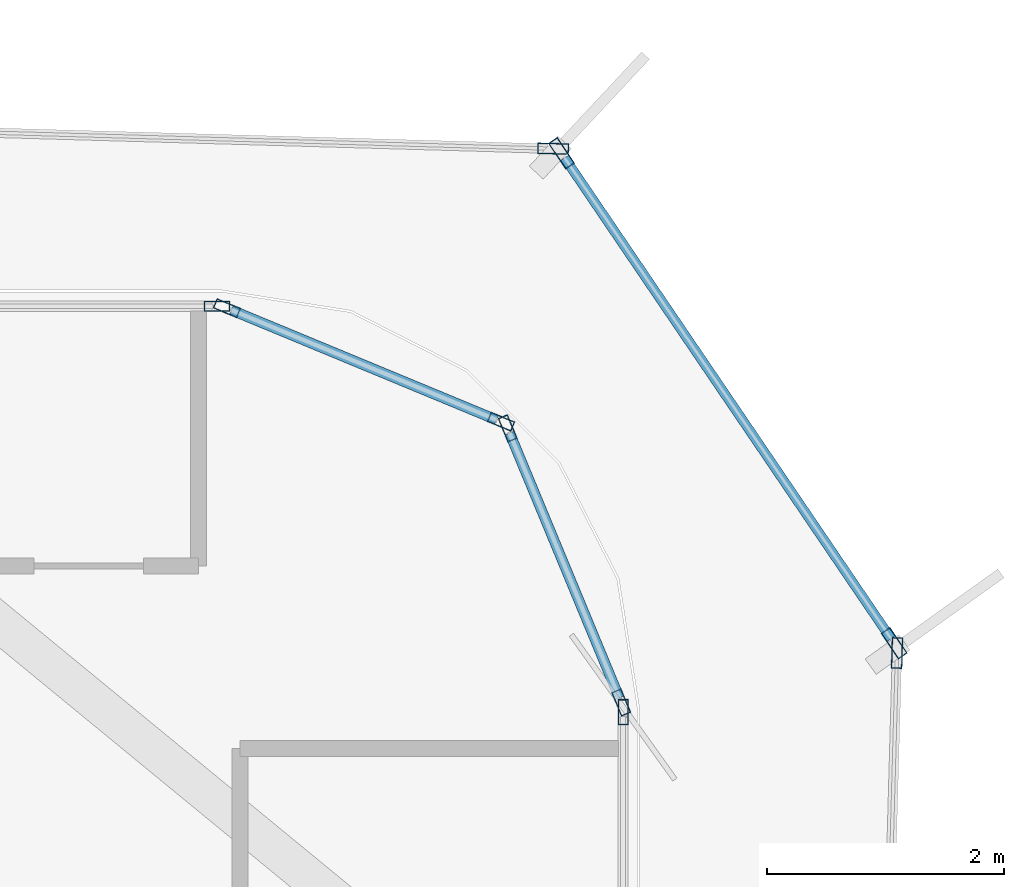
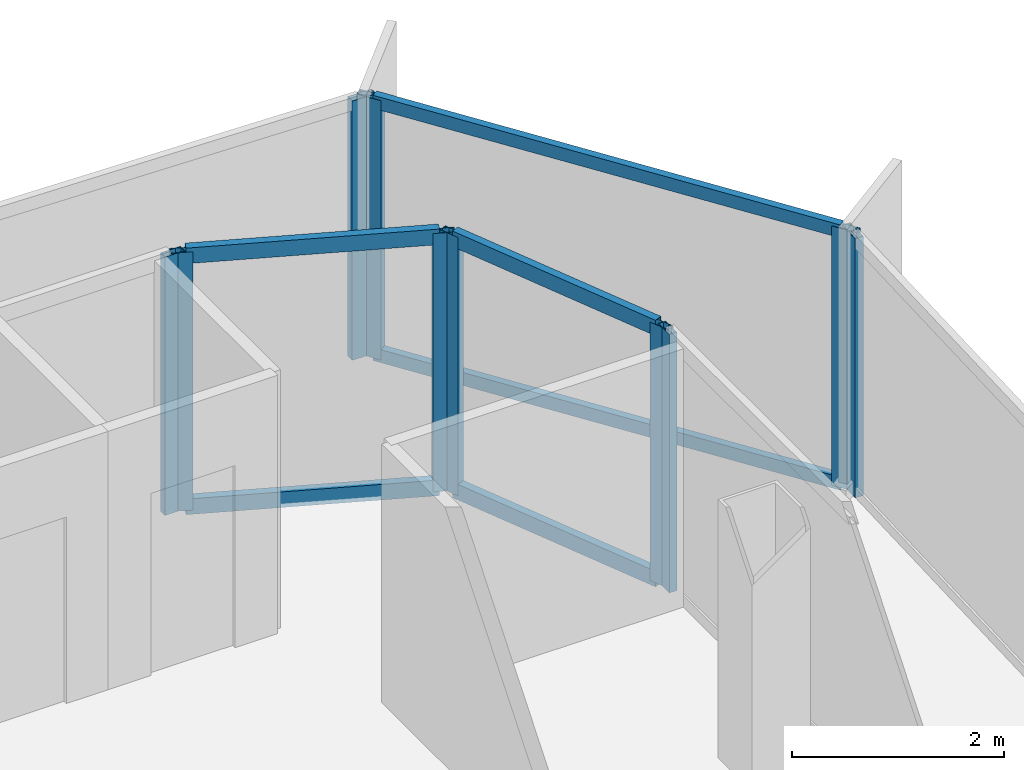
# One storey, part 8 of 14: 16 members, 7 elements without a shape of their own.
"""IFC4 building model written with IfcOpenShell, lengths in metres."""

import ifcopenshell
import ifcopenshell.guid

model = None  # the IFC model being written
_history = None  # IfcOwnerHistory: only IFC2X3 demands one
_inside = {}  # id of a spatial element -> (the spatial element, [elements in it])
_under = {}  # id of a project, library or spatial element -> (it, [spatial elements below it])
_declared = {}  # id of a project -> (the project, [libraries it declares])
_typed = {}  # id of a type object -> (the type object, [elements of that type])
_made_of = {}  # id of a material, layer set ... -> (it, [elements and type objects made of it])


def new_model(schema):
    """Start an empty IFC model of exactly this schema.

    Asked for "IFC4X3", IfcOpenShell would pick the latest addendum, in which some entities
    have other attributes; the version numbers below select the first issue.
    IFC2X3 requires an IfcOwnerHistory on every rooted entity: one is made here for all.
    """
    global model, _history
    if schema == "IFC4X3":
        model = ifcopenshell.file(schema_version=(4, 3, 0, 0))
    else:
        model = ifcopenshell.file(schema=schema)
    _inside.clear()
    _under.clear()
    _declared.clear()
    _typed.clear()
    _made_of.clear()
    _history = None
    if model.schema == "IFC2X3":
        org = make("IfcOrganization", Name="unknown")
        user = make(
            "IfcPersonAndOrganization",
            ThePerson=make("IfcPerson", FamilyName="unknown"),
            TheOrganization=org,
        )
        app = make(
            "IfcApplication",
            ApplicationDeveloper=org,
            Version="unknown",
            ApplicationFullName="unknown",
            ApplicationIdentifier="unknown",
        )
        _history = make(
            "IfcOwnerHistory",
            OwningUser=user,
            OwningApplication=app,
            ChangeAction="ADDED",
            CreationDate=0,
        )
    return model


def make(cls, **values):
    """One entity of the class cls with the attributes given. An attribute that is None is left unset."""
    return model.create_entity(
        cls, **{name: value for name, value in values.items() if value is not None}
    )


def rooted(cls, **values):
    """An entity with a GlobalId (a new one), such as an element, a storey or a relation."""
    return make(cls, GlobalId=ifcopenshell.guid.new(), OwnerHistory=_history, **values)


def si_unit(unit_type, name, prefix=None):
    """IfcSIUnit, for example si_unit("LENGTHUNIT", "METRE", prefix="MILLI")."""
    return make("IfcSIUnit", UnitType=unit_type, Prefix=prefix, Name=name)


def assignment(units):
    """IfcUnitAssignment: the units of a project."""
    return None if units is None else make("IfcUnitAssignment", Units=units)


def point(xyz):
    """IfcCartesianPoint."""
    return None if xyz is None else make("IfcCartesianPoint", Coordinates=xyz)


def direction(xyz):
    """IfcDirection."""
    return None if xyz is None else make("IfcDirection", DirectionRatios=xyz)


def frame(location, z_axis=None, x_axis=None):
    """IfcAxis2Placement3D, a coordinate frame: its origin and axes. An axis left out is left unset."""
    return make(
        "IfcAxis2Placement3D",
        Location=point(location),
        Axis=direction(z_axis),
        RefDirection=direction(x_axis),
    )


def frame_2d(location, x_axis=None):
    """IfcAxis2Placement2D, a coordinate frame in the plane: its origin and x axis."""
    return make(
        "IfcAxis2Placement2D", Location=point(location), RefDirection=direction(x_axis)
    )


def origin():
    """The frame at (0, 0, 0) with its axes left unset."""
    return frame((0.0, 0.0, 0.0))


def origin_2d():
    """The frame at (0, 0) in the plane with its x axis left unset."""
    return frame_2d((0.0, 0.0))


def place(relative_to, where):
    """IfcLocalPlacement: puts the frame where relative to a parent placement (None: the world)."""
    return make(
        "IfcLocalPlacement", PlacementRelTo=relative_to, RelativePlacement=where
    )


def context(
    kind, dimensions, precision=None, world=None, true_north=None, identifier=None
):
    """IfcGeometricRepresentationContext, for example the 3D "Model" context."""
    return make(
        "IfcGeometricRepresentationContext",
        ContextIdentifier=identifier,
        ContextType=kind,
        CoordinateSpaceDimension=dimensions,
        Precision=precision,
        WorldCoordinateSystem=world,
        TrueNorth=true_north,
    )


def subcontext(parent, identifier, kind, view, scale=None):
    """IfcGeometricRepresentationSubContext, for example "Body" below "Model"."""
    return make(
        "IfcGeometricRepresentationSubContext",
        ContextIdentifier=identifier,
        ContextType=kind,
        ParentContext=parent,
        TargetScale=scale,
        TargetView=view,
    )


def project(units=None, contexts=None):
    """IfcProject with its units and contexts."""
    return rooted(
        "IfcProject",
        Name="project",
        RepresentationContexts=contexts,
        UnitsInContext=assignment(units),
    )


def spatial(cls, under=None, at=None, **own):
    """A site, building, storey or space (cls), placed at a placement, below another one or the project."""
    s = rooted(cls, ObjectPlacement=at, **own)
    if under is not None:
        _under.setdefault(under.id(), (under, []))[1].append(s)
    return s


def profile(cls, at=None, kind="AREA", **sizes):
    """A parametric profile (cls). Its sizes go by their IFC names, for example OverallWidth=200.0."""
    return make(cls, ProfileType=kind, Position=at, **sizes)


def hollow_rectangle(**sizes):
    """IfcRectangleHollowProfileDef."""
    return profile("IfcRectangleHollowProfileDef", **sizes)


def extrude(swept, where, along, depth):
    """IfcExtrudedAreaSolid: the profile swept, set in the frame where, extruded along a direction by depth."""
    return make(
        "IfcExtrudedAreaSolid",
        SweptArea=swept,
        Position=where,
        ExtrudedDirection=direction(along),
        Depth=depth,
    )


def shape(context_of_items, identifier, shape_type, items):
    """IfcShapeRepresentation: the items that make up one representation, for example the "Body"."""
    return make(
        "IfcShapeRepresentation",
        ContextOfItems=context_of_items,
        RepresentationIdentifier=identifier,
        RepresentationType=shape_type,
        Items=items,
    )


def source(mapping_origin, context_of_items, identifier, shape_type, items):
    """IfcRepresentationMap: a shape defined once, which mapped items show again and again."""
    return make(
        "IfcRepresentationMap",
        MappingOrigin=mapping_origin,
        MappedRepresentation=shape(context_of_items, identifier, shape_type, items),
    )


def transform(
    local_origin,
    x_axis=None,
    y_axis=None,
    z_axis=None,
    scale=None,
    scale2=None,
    scale3=None,
    uniform=True,
):
    """IfcCartesianTransformationOperator3D, or its non-uniform kind. x_axis, y_axis, z_axis: its Axis1, 2, 3."""
    if uniform:
        return make(
            "IfcCartesianTransformationOperator3D",
            Axis1=direction(x_axis),
            Axis2=direction(y_axis),
            LocalOrigin=point(local_origin),
            Scale=scale,
            Axis3=direction(z_axis),
        )
    return make(
        "IfcCartesianTransformationOperator3DnonUniform",
        Axis1=direction(x_axis),
        Axis2=direction(y_axis),
        LocalOrigin=point(local_origin),
        Scale=scale,
        Axis3=direction(z_axis),
        Scale2=scale2,
        Scale3=scale3,
    )


def mapped(mapping_source, mapping_target):
    """IfcMappedItem: shows the shape of a source again, moved by a transform."""
    return make(
        "IfcMappedItem", MappingSource=mapping_source, MappingTarget=mapping_target
    )


def material(Name=None, Category=None):
    """IfcMaterial."""
    return make("IfcMaterial", Name=Name, Category=Category)


def layer(
    of_material, thickness, ventilated=None, Name=None, Category=None, Priority=None
):
    """IfcMaterialLayer: one layer of a wall or slab, of a material (None: an air gap)."""
    return make(
        "IfcMaterialLayer",
        Material=of_material,
        LayerThickness=thickness,
        IsVentilated=ventilated,
        Name=Name,
        Category=Category,
        Priority=Priority,
    )


def layer_set(layers, Name=None):
    """IfcMaterialLayerSet."""
    return make("IfcMaterialLayerSet", MaterialLayers=layers, LayerSetName=Name)


def material_profile(
    of_material, cross_section, Name=None, Category=None, Priority=None
):
    """IfcMaterialProfile: a cross section and its material."""
    return make(
        "IfcMaterialProfile",
        Name=Name,
        Material=of_material,
        Profile=cross_section,
        Priority=Priority,
        Category=Category,
    )


def profile_set(profiles, Name=None, composite=None):
    """IfcMaterialProfileSet."""
    return make(
        "IfcMaterialProfileSet",
        Name=Name,
        MaterialProfiles=profiles,
        CompositeProfile=composite,
    )


def made_of(thing, what):
    """Note that an element or type object is made of a material, layer set ...; save() writes the relation."""
    if what is not None:
        _made_of.setdefault(what.id(), (what, []))[1].append(thing)
    return thing


def type_object(cls, material=None, **own):
    """A type object (cls), such as IfcWallType, which elements share."""
    return made_of(rooted(cls, **own), material)


def element(
    cls,
    number,
    at=None,
    inside=None,
    cuts=None,
    type_object=None,
    material=None,
    context=None,
    identifier="Body",
    shape_type=None,
    held_by="IfcProductDefinitionShape",
    body=None,
    shapes=None,
    **own,
):
    """One element of the class cls, such as IfcWall. Its Tag is "e" and its number.

    at: its placement. inside: the storey or other place that contains it. cuts: it is an
    opening in that element (IfcRelVoidsElement). A single representation is given by context,
    identifier, shape_type and body (its items); several are given by shapes. held_by: the class
    of the entity that holds the representations. save() writes the other relations.
    """
    e = rooted(cls, Tag="e%d" % number, ObjectPlacement=at, **own)
    if body is not None:
        shapes = [shape(context, identifier, shape_type, body)]
    if shapes is not None:
        e.Representation = make(held_by, Representations=shapes)
    if inside is not None:
        _inside.setdefault(inside.id(), (inside, []))[1].append(e)
    if cuts is not None:
        rooted(
            "IfcRelVoidsElement", RelatingBuildingElement=cuts, RelatedOpeningElement=e
        )
    if type_object is not None:
        _typed.setdefault(type_object.id(), (type_object, []))[1].append(e)
    return made_of(e, material)


def aggregate(whole, parts):
    """IfcRelAggregates: a whole, such as a stair, and the parts it consists of."""
    return rooted("IfcRelAggregates", RelatingObject=whole, RelatedObjects=parts)


def save(model, path):
    """Write the relations noted so far, then the file.

    IfcRelAggregates (storeys below a building ...), IfcRelContainedInSpatialStructure (elements
    in a storey), IfcRelDefinesByType, IfcRelAssociatesMaterial and IfcRelDeclares: one each for
    every whole, place, type object, material and project.
    """
    for whole, parts in _under.values():
        aggregate(whole, parts)
    for where, things in _inside.values():
        rooted(
            "IfcRelContainedInSpatialStructure",
            RelatedElements=things,
            RelatingStructure=where,
        )
    for kind, things in _typed.values():
        rooted("IfcRelDefinesByType", RelatedObjects=things, RelatingType=kind)
    for what, things in _made_of.values():
        rooted("IfcRelAssociatesMaterial", RelatedObjects=things, RelatingMaterial=what)
    for by, libraries in _declared.values():
        rooted("IfcRelDeclares", RelatingContext=by, RelatedDefinitions=libraries)
    model.write(path)


model = new_model("IFC4")

# Units and contexts
model_context = context("Model", 3, precision=1e-05, world=origin(), true_north=direction((0.0, 1.0)))
body_context = subcontext(model_context, "Body", "Model", "MODEL_VIEW")
ifc_project = project(units=[si_unit("LENGTHUNIT", "METRE"), si_unit("AREAUNIT", "SQUARE_METRE"), si_unit("VOLUMEUNIT", "CUBIC_METRE"), si_unit("PLANEANGLEUNIT", "RADIAN"), si_unit("MASSUNIT", "GRAM", prefix="KILO")], contexts=[model_context])

# Site, building, storey
site_placement = place(None, origin())
site = spatial("IfcSite", under=ifc_project, at=site_placement, CompositionType="ELEMENT")
building_placement = place(site_placement, origin())
building = spatial("IfcBuilding", under=site, at=building_placement, Name="Kolveth Station Tower", CompositionType="ELEMENT")
storey_placement = place(building_placement, frame((0.0, 0.0, 226.5)))
storey = spatial("IfcBuildingStorey", under=building, at=storey_placement, Name="L64", CompositionType="ELEMENT", Elevation=226.5)

# Curtain wall, member
ifc_material_1 = material(Name="Black anodized aluminium 6063-T6 and dark solar glass", Category="aluminium")
ifc_layer_1 = layer(ifc_material_1, 0.159912109375)
ifc_layer_set_1 = layer_set([ifc_layer_1], Name="Black anodized aluminium 6063-T6 and dark solar glass")
curtain_wall_type_1 = type_object("IfcCurtainWallType", Name="OUTER SKIN CW-OS", PredefinedType="NOTDEFINED", material=ifc_layer_set_1)
curtain_wall_1_placement = place(storey_placement, origin())
curtain_wall_1 = element("IfcCurtainWall", 1, at=curtain_wall_1_placement, inside=storey, type_object=curtain_wall_type_1, Name="L64 Outer Ventilated Skin Curtain Wall 2", PredefinedType="NOTDEFINED")
ifc_material_2 = material(Name="Black anodized aluminium 6063-T6", Category="aluminium")
ifc_material_profile_1 = material_profile(ifc_material_2, hollow_rectangle(XDim=0.090087890625, YDim=0.260009765625, WallThickness=0.0048828125, at=origin_2d()), Name="ALU-90x260x5")
ifc_profile_set_1 = profile_set([ifc_material_profile_1], Name="Black anodized aluminium 6063-T6")
member_type_1 = type_object("IfcMemberType", Name="FIN MULLION ML-OS", PredefinedType="MULLION", material=ifc_profile_set_1)
shared_shape_1 = source(origin(), body_context, "Body", "SweptSolid", [
    extrude(hollow_rectangle(XDim=0.090087890625, YDim=0.260009765625, WallThickness=0.0048828125, at=origin_2d()), origin(), (0.0, 0.0, 1.0), 2.989990234375),
])
member_1_placement = place(storey_placement, frame((43.98876953125, 32.2568359375, 0.0), z_axis=(0.0, 0.0, 1.0), x_axis=(-0.999608198205, 0.027990178319, 0.0)))
member_1 = element("IfcMember", 2, at=member_1_placement, type_object=member_type_1, Name="CW-OS mullion 2", PredefinedType="MULLION", context=body_context, shape_type="MappedRepresentation", body=[
    mapped(shared_shape_1, transform((0.0, 0.0, 0.0), x_axis=(1.0, 0.0, 0.0), y_axis=(0.0, 1.0, 0.0), z_axis=(0.0, 0.0, 1.0), scale=1.0)),
])
aggregate(curtain_wall_1, [member_1])

# Curtain wall, members
curtain_wall_2_placement = place(storey_placement, origin())
curtain_wall_2 = element("IfcCurtainWall", 3, at=curtain_wall_2_placement, inside=storey, type_object=curtain_wall_type_1, Name="L64 Outer Ventilated Skin Curtain Wall 3", PredefinedType="NOTDEFINED")
member_2_placement = place(storey_placement, frame((43.96484375, 32.339111328125, 0.0), z_axis=(0.0, 0.0, 1.0), x_axis=(-0.827335036626, -0.56170876544, 0.0)))
member_2 = element("IfcMember", 4, at=member_2_placement, type_object=member_type_1, Name="CW-OS mullion 1", PredefinedType="MULLION", context=body_context, shape_type="MappedRepresentation", body=[
    mapped(shared_shape_1, transform((0.0, 0.0, 0.0), x_axis=(1.0, 0.0, 0.0), y_axis=(0.0, 1.0, 0.0), z_axis=(0.0, 0.0, 1.0), scale=1.0)),
])
member_3_placement = place(storey_placement, frame((41.160400390625, 36.4697265625, 0.0), z_axis=(0.0, 0.0, 1.0), x_axis=(-0.827335036626, -0.56170876544, 0.0)))
member_3 = element("IfcMember", 5, at=member_3_placement, type_object=member_type_1, Name="CW-OS mullion 2", PredefinedType="MULLION", context=body_context, shape_type="MappedRepresentation", body=[
    mapped(shared_shape_1, transform((0.0, 0.0, 0.0), x_axis=(1.0, 0.0, 0.0), y_axis=(0.0, 1.0, 0.0), z_axis=(0.0, 0.0, 1.0), scale=1.0)),
])

# Curtain wall, member
curtain_wall_3_placement = place(storey_placement, origin())
curtain_wall_3 = element("IfcCurtainWall", 6, at=curtain_wall_3_placement, inside=storey, type_object=curtain_wall_type_1, Name="L64 Outer Ventilated Skin Curtain Wall 4", PredefinedType="NOTDEFINED")
member_4_placement = place(storey_placement, frame((41.090087890625, 36.50830078125, 0.0), z_axis=(0.0, 0.0, 1.0), x_axis=(-0.028562025892, -0.999592022115, 0.0)))
member_4 = element("IfcMember", 7, at=member_4_placement, type_object=member_type_1, Name="CW-OS mullion 1", PredefinedType="MULLION", context=body_context, shape_type="MappedRepresentation", body=[
    mapped(shared_shape_1, transform((0.0, 0.0, 0.0), x_axis=(1.0, 0.0, 0.0), y_axis=(0.0, 1.0, 0.0), z_axis=(0.0, 0.0, 1.0), scale=1.0)),
])
aggregate(curtain_wall_3, [member_4])

ifc_material_3 = material(Name="Aluminium 6063-T6 and triple low-E dark glass", Category="aluminium")
ifc_layer_2 = layer(ifc_material_3, 0.199951171875)
ifc_layer_set_2 = layer_set([ifc_layer_2], Name="Aluminium 6063-T6 and triple low-E dark glass")
curtain_wall_type_2 = type_object("IfcCurtainWallType", Name="CurtainWall_CW-Z3", PredefinedType="NOTDEFINED", material=ifc_layer_set_2)
curtain_wall_4_placement = place(storey_placement, origin())
curtain_wall_4 = element("IfcCurtainWall", 8, at=curtain_wall_4_placement, inside=storey, type_object=curtain_wall_type_2, Name="L64 Inner Thermal Curtain Wall 3", PredefinedType="NOTDEFINED")
ifc_material_profile_2 = material_profile(ifc_material_2, hollow_rectangle(XDim=0.0849609375, YDim=0.215087890625, WallThickness=0.0048828125, at=origin_2d()), Name="ALU-85x215x5")
ifc_profile_set_2 = profile_set([ifc_material_profile_2], Name="Black anodized aluminium 6063-T6")
member_type_2 = type_object("IfcMemberType", Name="Mullion_ML3", PredefinedType="MULLION", material=ifc_profile_set_2)
shared_shape_2 = source(origin(), body_context, "Body", "SweptSolid", [
    extrude(hollow_rectangle(XDim=0.0849609375, YDim=0.215087890625, WallThickness=0.0048828125, at=origin_2d()), origin(), (0.0, 0.0, 1.0), 2.97998046875),
])
member_5_placement = place(storey_placement, frame((41.679931640625, 31.757568359375, 0.0), z_axis=(0.0, 0.0, 1.0), x_axis=(-1.0, 0.0, 0.0)))
member_5 = element("IfcMember", 9, at=member_5_placement, type_object=member_type_2, Name="CW-Z3 mullion 2", PredefinedType="MULLION", context=body_context, shape_type="MappedRepresentation", body=[
    mapped(shared_shape_2, transform((0.0, 0.0, 0.0), x_axis=(1.0, 0.0, 0.0), y_axis=(0.0, 1.0, 0.0), z_axis=(0.0, 0.0, 1.0), scale=1.0)),
])
aggregate(curtain_wall_4, [member_5])

# Curtain wall, members
curtain_wall_5_placement = place(storey_placement, origin())
curtain_wall_5 = element("IfcCurtainWall", 10, at=curtain_wall_5_placement, inside=storey, type_object=curtain_wall_type_2, Name="L64 Inner Thermal Curtain Wall 4", PredefinedType="NOTDEFINED")
member_6_placement = place(storey_placement, frame((41.663818359375, 31.83935546875, 0.0), z_axis=(0.0, 0.0, 1.0), x_axis=(-0.923875488975, -0.382693194181, 0.0)))
member_6 = element("IfcMember", 11, at=member_6_placement, type_object=member_type_2, Name="CW-Z3 mullion 1", PredefinedType="MULLION", context=body_context, shape_type="MappedRepresentation", body=[
    mapped(shared_shape_2, transform((0.0, 0.0, 0.0), x_axis=(1.0, 0.0, 0.0), y_axis=(0.0, 1.0, 0.0), z_axis=(0.0, 0.0, 1.0), scale=1.0)),
])
member_7_placement = place(storey_placement, frame((40.706298828125, 34.150634765625, 0.0), z_axis=(0.0, 0.0, 1.0), x_axis=(-0.923875488975, -0.382693194181, 0.0)))
member_7 = element("IfcMember", 12, at=member_7_placement, type_object=member_type_2, Name="CW-Z3 mullion 2", PredefinedType="MULLION", context=body_context, shape_type="MappedRepresentation", body=[
    mapped(shared_shape_2, transform((0.0, 0.0, 0.0), x_axis=(1.0, 0.0, 0.0), y_axis=(0.0, 1.0, 0.0), z_axis=(0.0, 0.0, 1.0), scale=1.0)),
])

curtain_wall_6_placement = place(storey_placement, origin())
curtain_wall_6 = element("IfcCurtainWall", 13, at=curtain_wall_6_placement, inside=storey, type_object=curtain_wall_type_2, Name="L64 Inner Thermal Curtain Wall 5", PredefinedType="NOTDEFINED")
member_8_placement = place(storey_placement, frame((40.650634765625, 34.206298828125, 0.0), z_axis=(0.0, 0.0, 1.0), x_axis=(-0.382693194181, -0.923875488975, 0.0)))
member_8 = element("IfcMember", 14, at=member_8_placement, type_object=member_type_2, Name="CW-Z3 mullion 1", PredefinedType="MULLION", context=body_context, shape_type="MappedRepresentation", body=[
    mapped(shared_shape_2, transform((0.0, 0.0, 0.0), x_axis=(1.0, 0.0, 0.0), y_axis=(0.0, 1.0, 0.0), z_axis=(0.0, 0.0, 1.0), scale=1.0)),
])
member_9_placement = place(storey_placement, frame((38.33935546875, 35.163818359375, 0.0), z_axis=(0.0, 0.0, 1.0), x_axis=(-0.382693194181, -0.923875488975, 0.0)))
member_9 = element("IfcMember", 15, at=member_9_placement, type_object=member_type_2, Name="CW-Z3 mullion 2", PredefinedType="MULLION", context=body_context, shape_type="MappedRepresentation", body=[
    mapped(shared_shape_2, transform((0.0, 0.0, 0.0), x_axis=(1.0, 0.0, 0.0), y_axis=(0.0, 1.0, 0.0), z_axis=(0.0, 0.0, 1.0), scale=1.0)),
])

# Curtain wall, member
curtain_wall_7_placement = place(storey_placement, origin())
curtain_wall_7 = element("IfcCurtainWall", 16, at=curtain_wall_7_placement, inside=storey, type_object=curtain_wall_type_2, Name="L64 Inner Thermal Curtain Wall 6", PredefinedType="NOTDEFINED")
member_10_placement = place(storey_placement, frame((38.257568359375, 35.179931640625, 0.0), z_axis=(0.0, 0.0, 1.0), x_axis=(0.0, -1.0, 0.0)))
member_10 = element("IfcMember", 17, at=member_10_placement, type_object=member_type_2, Name="CW-Z3 mullion 1", PredefinedType="MULLION", context=body_context, shape_type="MappedRepresentation", body=[
    mapped(shared_shape_2, transform((0.0, 0.0, 0.0), x_axis=(1.0, 0.0, 0.0), y_axis=(0.0, 1.0, 0.0), z_axis=(0.0, 0.0, 1.0), scale=1.0)),
])
aggregate(curtain_wall_7, [member_10])

# Member
ifc_material_profile_3 = material_profile(ifc_material_2, hollow_rectangle(XDim=0.0849609375, YDim=0.179931640625, WallThickness=0.0048828125, at=origin_2d()), Name="ALU-85x180x5")
ifc_profile_set_3 = profile_set([ifc_material_profile_3], Name="Black anodized aluminium 6063-T6")
member_type_3 = type_object("IfcMemberType", Name="Transom_TR3", PredefinedType="USERDEFINED", material=ifc_profile_set_3)
shared_shape_3 = source(origin(), body_context, "Body", "SweptSolid", [
    extrude(hollow_rectangle(XDim=0.0849609375, YDim=0.179931640625, WallThickness=0.0048828125, at=origin_2d()), origin(), (0.0, 0.0, 1.0), 2.417236328125),
])
member_11_placement = place(storey_placement, frame((41.6474609375, 31.87841796875, 0.04248046875), z_axis=(-0.382699687013, 0.923872799448, 0.0), x_axis=(-0.923872799448, -0.382699687013, 0.0)))
member_11 = element("IfcMember", 18, at=member_11_placement, type_object=member_type_3, Name="CW-Z3 transom 1.1", ObjectType="TRANSOM", PredefinedType="USERDEFINED", context=body_context, shape_type="MappedRepresentation", body=[
    mapped(shared_shape_3, transform((0.0, 0.0, 0.0), x_axis=(1.0, 0.0, 0.0), y_axis=(0.0, 1.0, 0.0), z_axis=(0.0, 0.0, 1.0), scale=1.0)),
])

member_12_placement = place(storey_placement, frame((41.6474609375, 31.87841796875, 2.9375), z_axis=(-0.382699687013, 0.923872799448, 0.0), x_axis=(-0.923872799448, -0.382699687013, 0.0)))
member_12 = element("IfcMember", 19, at=member_12_placement, type_object=member_type_3, Name="CW-Z3 transom 1.2", ObjectType="TRANSOM", PredefinedType="USERDEFINED", context=body_context, shape_type="MappedRepresentation", body=[
    mapped(shared_shape_3, transform((0.0, 0.0, 0.0), x_axis=(1.0, 0.0, 0.0), y_axis=(0.0, 1.0, 0.0), z_axis=(0.0, 0.0, 1.0), scale=1.0)),
])

aggregate(curtain_wall_5, [member_6, member_7, member_11, member_12])

member_13_placement = place(storey_placement, frame((40.611572265625, 34.222412109375, 0.04248046875), z_axis=(-0.923872799448, 0.382699687013, 0.0), x_axis=(-0.382699687013, -0.923872799448, 0.0)))
member_13 = element("IfcMember", 20, at=member_13_placement, type_object=member_type_3, Name="CW-Z3 transom 1.1", ObjectType="TRANSOM", PredefinedType="USERDEFINED", context=body_context, shape_type="MappedRepresentation", body=[
    mapped(shared_shape_3, transform((0.0, 0.0, 0.0), x_axis=(1.0, 0.0, 0.0), y_axis=(0.0, 1.0, 0.0), z_axis=(0.0, 0.0, 1.0), scale=1.0)),
])

member_14_placement = place(storey_placement, frame((40.611572265625, 34.222412109375, 2.9375), z_axis=(-0.923872799448, 0.382699687013, 0.0), x_axis=(-0.382699687013, -0.923872799448, 0.0)))
member_14 = element("IfcMember", 21, at=member_14_placement, type_object=member_type_3, Name="CW-Z3 transom 1.2", ObjectType="TRANSOM", PredefinedType="USERDEFINED", context=body_context, shape_type="MappedRepresentation", body=[
    mapped(shared_shape_3, transform((0.0, 0.0, 0.0), x_axis=(1.0, 0.0, 0.0), y_axis=(0.0, 1.0, 0.0), z_axis=(0.0, 0.0, 1.0), scale=1.0)),
])

aggregate(curtain_wall_6, [member_8, member_9, member_13, member_14])

ifc_material_profile_4 = material_profile(ifc_material_2, hollow_rectangle(XDim=0.080078125, YDim=0.14990234375, WallThickness=0.0048828125, at=origin_2d()), Name="ALU-80x150x5")
ifc_profile_set_4 = profile_set([ifc_material_profile_4], Name="Black anodized aluminium 6063-T6")
member_type_4 = type_object("IfcMemberType", Name="Transom_TR-OS", PredefinedType="USERDEFINED", material=ifc_profile_set_4)
shared_shape_4 = source(origin(), body_context, "Body", "SweptSolid", [
    extrude(hollow_rectangle(XDim=0.080078125, YDim=0.14990234375, WallThickness=0.0048828125, at=origin_2d()), origin(), (0.0, 0.0, 1.0), 4.902587890625),
])
member_15_placement = place(storey_placement, frame((43.939453125, 32.376220703125, 0.0400390625), z_axis=(-0.561713288431, 0.827331965779, 0.0), x_axis=(-0.827331965779, -0.561713288431, 0.0)))
member_15 = element("IfcMember", 22, at=member_15_placement, type_object=member_type_4, Name="CW-OS transom 1.1", ObjectType="TRANSOM", PredefinedType="USERDEFINED", context=body_context, shape_type="MappedRepresentation", body=[
    mapped(shared_shape_4, transform((0.0, 0.0, 0.0), x_axis=(1.0, 0.0, 0.0), y_axis=(0.0, 1.0, 0.0), z_axis=(0.0, 0.0, 1.0), scale=1.0)),
])

member_16_placement = place(storey_placement, frame((43.939453125, 32.376220703125, 2.949951171875), z_axis=(-0.561713288431, 0.827331965779, 0.0), x_axis=(-0.827331965779, -0.561713288431, 0.0)))
member_16 = element("IfcMember", 23, at=member_16_placement, type_object=member_type_4, Name="CW-OS transom 1.2", ObjectType="TRANSOM", PredefinedType="USERDEFINED", context=body_context, shape_type="MappedRepresentation", body=[
    mapped(shared_shape_4, transform((0.0, 0.0, 0.0), x_axis=(1.0, 0.0, 0.0), y_axis=(0.0, 1.0, 0.0), z_axis=(0.0, 0.0, 1.0), scale=1.0)),
])

aggregate(curtain_wall_2, [member_2, member_3, member_15, member_16])

save(model, "model.ifc")
